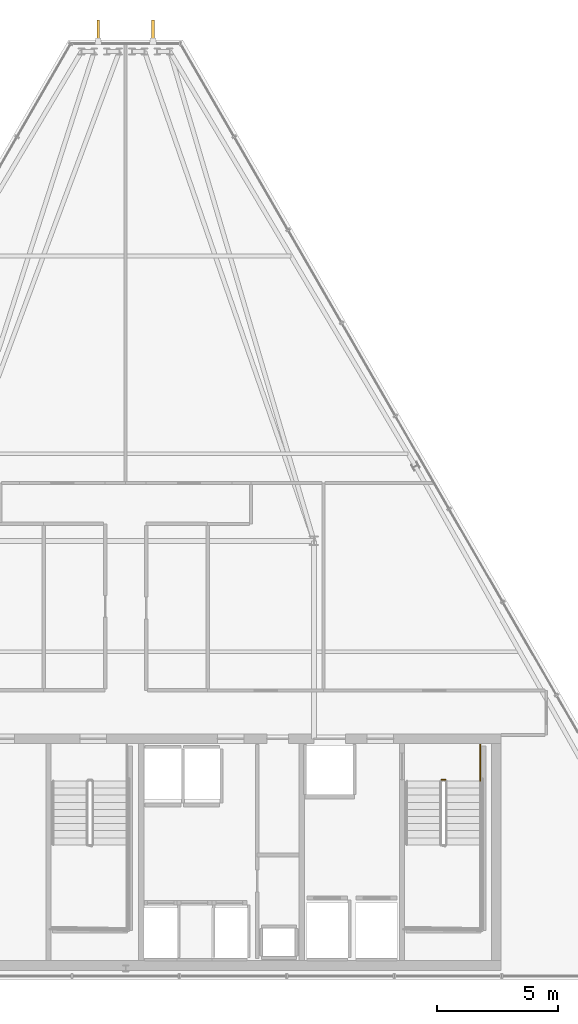
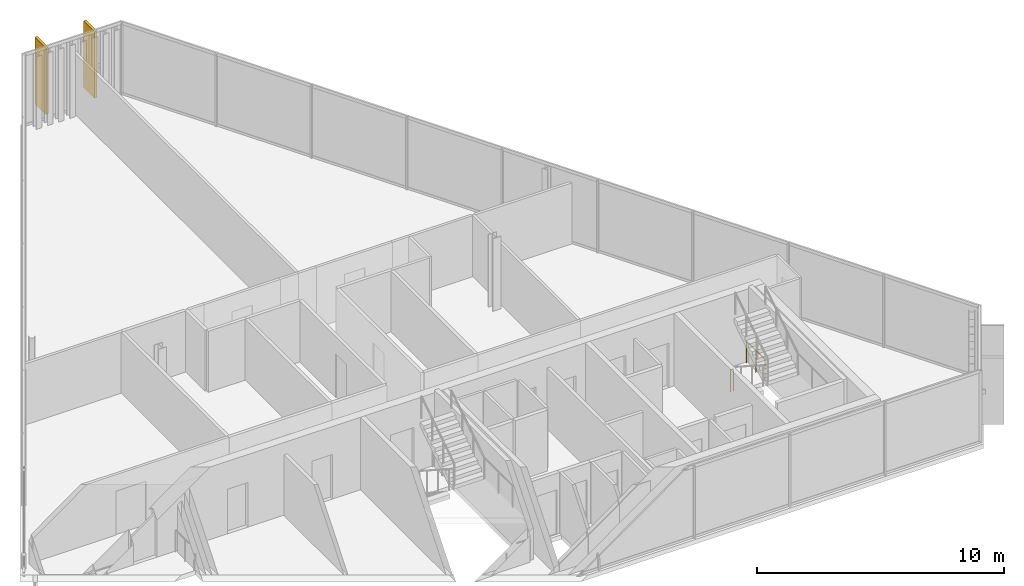
# One storey, part 32 of 32: 2 railings, 2 shading devices.
"""IFC4 building model written with IfcOpenShell, lengths in metres."""

import ifcopenshell
import ifcopenshell.guid

model = None  # the IFC model being written
_history = None  # IfcOwnerHistory: only IFC2X3 demands one
_inside = {}  # id of a spatial element -> (the spatial element, [elements in it])
_under = {}  # id of a project, library or spatial element -> (it, [spatial elements below it])
_declared = {}  # id of a project -> (the project, [libraries it declares])
_typed = {}  # id of a type object -> (the type object, [elements of that type])
_made_of = {}  # id of a material, layer set ... -> (it, [elements and type objects made of it])


def new_model(schema):
    """Start an empty IFC model of exactly this schema.

    Asked for "IFC4X3", IfcOpenShell would pick the latest addendum, in which some entities
    have other attributes; the version numbers below select the first issue.
    IFC2X3 requires an IfcOwnerHistory on every rooted entity: one is made here for all.
    """
    global model, _history
    if schema == "IFC4X3":
        model = ifcopenshell.file(schema_version=(4, 3, 0, 0))
    else:
        model = ifcopenshell.file(schema=schema)
    _inside.clear()
    _under.clear()
    _declared.clear()
    _typed.clear()
    _made_of.clear()
    _history = None
    if model.schema == "IFC2X3":
        org = make("IfcOrganization", Name="unknown")
        user = make(
            "IfcPersonAndOrganization",
            ThePerson=make("IfcPerson", FamilyName="unknown"),
            TheOrganization=org,
        )
        app = make(
            "IfcApplication",
            ApplicationDeveloper=org,
            Version="unknown",
            ApplicationFullName="unknown",
            ApplicationIdentifier="unknown",
        )
        _history = make(
            "IfcOwnerHistory",
            OwningUser=user,
            OwningApplication=app,
            ChangeAction="ADDED",
            CreationDate=0,
        )
    return model


def make(cls, **values):
    """One entity of the class cls with the attributes given. An attribute that is None is left unset."""
    return model.create_entity(
        cls, **{name: value for name, value in values.items() if value is not None}
    )


def rooted(cls, **values):
    """An entity with a GlobalId (a new one), such as an element, a storey or a relation."""
    return make(cls, GlobalId=ifcopenshell.guid.new(), OwnerHistory=_history, **values)


def si_unit(unit_type, name, prefix=None):
    """IfcSIUnit, for example si_unit("LENGTHUNIT", "METRE", prefix="MILLI")."""
    return make("IfcSIUnit", UnitType=unit_type, Prefix=prefix, Name=name)


def assignment(units):
    """IfcUnitAssignment: the units of a project."""
    return None if units is None else make("IfcUnitAssignment", Units=units)


def point(xyz):
    """IfcCartesianPoint."""
    return None if xyz is None else make("IfcCartesianPoint", Coordinates=xyz)


def direction(xyz):
    """IfcDirection."""
    return None if xyz is None else make("IfcDirection", DirectionRatios=xyz)


def frame(location, z_axis=None, x_axis=None):
    """IfcAxis2Placement3D, a coordinate frame: its origin and axes. An axis left out is left unset."""
    return make(
        "IfcAxis2Placement3D",
        Location=point(location),
        Axis=direction(z_axis),
        RefDirection=direction(x_axis),
    )


def frame_2d(location, x_axis=None):
    """IfcAxis2Placement2D, a coordinate frame in the plane: its origin and x axis."""
    return make(
        "IfcAxis2Placement2D", Location=point(location), RefDirection=direction(x_axis)
    )


def origin():
    """The frame at (0, 0, 0) with its axes left unset."""
    return frame((0.0, 0.0, 0.0))


def origin_2d():
    """The frame at (0, 0) in the plane with its x axis left unset."""
    return frame_2d((0.0, 0.0))


def place(relative_to, where):
    """IfcLocalPlacement: puts the frame where relative to a parent placement (None: the world)."""
    return make(
        "IfcLocalPlacement", PlacementRelTo=relative_to, RelativePlacement=where
    )


def context(
    kind, dimensions, precision=None, world=None, true_north=None, identifier=None
):
    """IfcGeometricRepresentationContext, for example the 3D "Model" context."""
    return make(
        "IfcGeometricRepresentationContext",
        ContextIdentifier=identifier,
        ContextType=kind,
        CoordinateSpaceDimension=dimensions,
        Precision=precision,
        WorldCoordinateSystem=world,
        TrueNorth=true_north,
    )


def subcontext(parent, identifier, kind, view, scale=None):
    """IfcGeometricRepresentationSubContext, for example "Body" below "Model"."""
    return make(
        "IfcGeometricRepresentationSubContext",
        ContextIdentifier=identifier,
        ContextType=kind,
        ParentContext=parent,
        TargetScale=scale,
        TargetView=view,
    )


def project(units=None, contexts=None):
    """IfcProject with its units and contexts."""
    return rooted(
        "IfcProject",
        Name="project",
        RepresentationContexts=contexts,
        UnitsInContext=assignment(units),
    )


def spatial(cls, under=None, at=None, **own):
    """A site, building, storey or space (cls), placed at a placement, below another one or the project."""
    s = rooted(cls, ObjectPlacement=at, **own)
    if under is not None:
        _under.setdefault(under.id(), (under, []))[1].append(s)
    return s


def profile(cls, at=None, kind="AREA", **sizes):
    """A parametric profile (cls). Its sizes go by their IFC names, for example OverallWidth=200.0."""
    return make(cls, ProfileType=kind, Position=at, **sizes)


def rectangle(**sizes):
    """IfcRectangleProfileDef."""
    return profile("IfcRectangleProfileDef", **sizes)


def circle(**sizes):
    """IfcCircleProfileDef."""
    return profile("IfcCircleProfileDef", **sizes)


def extrude(swept, where, along, depth):
    """IfcExtrudedAreaSolid: the profile swept, set in the frame where, extruded along a direction by depth."""
    return make(
        "IfcExtrudedAreaSolid",
        SweptArea=swept,
        Position=where,
        ExtrudedDirection=direction(along),
        Depth=depth,
    )


def shape(context_of_items, identifier, shape_type, items):
    """IfcShapeRepresentation: the items that make up one representation, for example the "Body"."""
    return make(
        "IfcShapeRepresentation",
        ContextOfItems=context_of_items,
        RepresentationIdentifier=identifier,
        RepresentationType=shape_type,
        Items=items,
    )


def material(Name=None, Category=None):
    """IfcMaterial."""
    return make("IfcMaterial", Name=Name, Category=Category)


def layer(
    of_material, thickness, ventilated=None, Name=None, Category=None, Priority=None
):
    """IfcMaterialLayer: one layer of a wall or slab, of a material (None: an air gap)."""
    return make(
        "IfcMaterialLayer",
        Material=of_material,
        LayerThickness=thickness,
        IsVentilated=ventilated,
        Name=Name,
        Category=Category,
        Priority=Priority,
    )


def layer_set(layers, Name=None):
    """IfcMaterialLayerSet."""
    return make("IfcMaterialLayerSet", MaterialLayers=layers, LayerSetName=Name)


def made_of(thing, what):
    """Note that an element or type object is made of a material, layer set ...; save() writes the relation."""
    if what is not None:
        _made_of.setdefault(what.id(), (what, []))[1].append(thing)
    return thing


def type_object(cls, material=None, **own):
    """A type object (cls), such as IfcWallType, which elements share."""
    return made_of(rooted(cls, **own), material)


def element(
    cls,
    number,
    at=None,
    inside=None,
    cuts=None,
    type_object=None,
    material=None,
    context=None,
    identifier="Body",
    shape_type=None,
    held_by="IfcProductDefinitionShape",
    body=None,
    shapes=None,
    **own,
):
    """One element of the class cls, such as IfcWall. Its Tag is "e" and its number.

    at: its placement. inside: the storey or other place that contains it. cuts: it is an
    opening in that element (IfcRelVoidsElement). A single representation is given by context,
    identifier, shape_type and body (its items); several are given by shapes. held_by: the class
    of the entity that holds the representations. save() writes the other relations.
    """
    e = rooted(cls, Tag="e%d" % number, ObjectPlacement=at, **own)
    if body is not None:
        shapes = [shape(context, identifier, shape_type, body)]
    if shapes is not None:
        e.Representation = make(held_by, Representations=shapes)
    if inside is not None:
        _inside.setdefault(inside.id(), (inside, []))[1].append(e)
    if cuts is not None:
        rooted(
            "IfcRelVoidsElement", RelatingBuildingElement=cuts, RelatedOpeningElement=e
        )
    if type_object is not None:
        _typed.setdefault(type_object.id(), (type_object, []))[1].append(e)
    return made_of(e, material)


def aggregate(whole, parts):
    """IfcRelAggregates: a whole, such as a stair, and the parts it consists of."""
    return rooted("IfcRelAggregates", RelatingObject=whole, RelatedObjects=parts)


def save(model, path):
    """Write the relations noted so far, then the file.

    IfcRelAggregates (storeys below a building ...), IfcRelContainedInSpatialStructure (elements
    in a storey), IfcRelDefinesByType, IfcRelAssociatesMaterial and IfcRelDeclares: one each for
    every whole, place, type object, material and project.
    """
    for whole, parts in _under.values():
        aggregate(whole, parts)
    for where, things in _inside.values():
        rooted(
            "IfcRelContainedInSpatialStructure",
            RelatedElements=things,
            RelatingStructure=where,
        )
    for kind, things in _typed.values():
        rooted("IfcRelDefinesByType", RelatedObjects=things, RelatingType=kind)
    for what, things in _made_of.values():
        rooted("IfcRelAssociatesMaterial", RelatedObjects=things, RelatingMaterial=what)
    for by, libraries in _declared.values():
        rooted("IfcRelDeclares", RelatingContext=by, RelatedDefinitions=libraries)
    model.write(path)


model = new_model("IFC4")

# Units and contexts
model_context = context("Model", 3, precision=1e-05, world=origin(), true_north=direction((0.0, 1.0)))
body_context = subcontext(model_context, "Body", "Model", "MODEL_VIEW")
ifc_project = project(units=[si_unit("LENGTHUNIT", "METRE"), si_unit("AREAUNIT", "SQUARE_METRE"), si_unit("VOLUMEUNIT", "CUBIC_METRE"), si_unit("PLANEANGLEUNIT", "RADIAN"), si_unit("MASSUNIT", "GRAM", prefix="KILO")], contexts=[model_context])

# Site, building, storey
site_placement = place(None, origin())
site = spatial("IfcSite", under=ifc_project, at=site_placement, CompositionType="ELEMENT")
building_placement = place(site_placement, origin())
building = spatial("IfcBuilding", under=site, at=building_placement, Name="Ndaravel Arena Tower", CompositionType="ELEMENT")
storey_placement = place(building_placement, frame((0.0, 0.0, 287.10009765625)))
storey = spatial("IfcBuildingStorey", under=building, at=storey_placement, Name="L70", CompositionType="ELEMENT", Elevation=287.10009765625)

# Railings
ifc_material_1 = material(Name="Steel S355", Category="steel")
ifc_layer = layer(ifc_material_1, 0.06005859375)
ifc_layer_set = layer_set([ifc_layer], Name="Steel S355")
railing_type = type_object("IfcRailingType", Name="RAIL-STAIR-GD1100", PredefinedType="GUARDRAIL", material=ifc_layer_set)
railing_1_placement = place(storey_placement, frame((55.10009765625, 13.300048828125, 0.0)))
element("IfcRailing", 1, at=railing_1_placement, inside=storey, type_object=railing_type, Name="L70 ST-3 stair guard 4", PredefinedType="GUARDRAIL", context=body_context, shape_type="SweptSolid", body=[
    extrude(circle(Radius=0.02392578125, at=origin_2d()), frame((0.0, 0.0, 1.076171875), z_axis=(1.0, 0.0, 0.0), x_axis=(0.0, 1.0, 0.0)), (0.0, 0.0, 1.0), 0.139892578125),
    extrude(circle(Radius=0.02099609375, at=origin_2d()), origin(), (0.0, 0.0, 1.0), 1.052001953125),
    extrude(circle(Radius=0.02099609375, at=origin_2d()), frame((0.139892578125, 0.0, 0.0)), (0.0, 0.0, 1.0), 1.052001953125),
])
railing_2_placement = place(storey_placement, frame((56.68994140625, 14.75, 0.0)))
element("IfcRailing", 2, at=railing_2_placement, inside=storey, type_object=railing_type, Name="L70 ST-3 stair guard 5", PredefinedType="GUARDRAIL", context=body_context, shape_type="SweptSolid", body=[
    extrude(circle(Radius=0.02392578125, at=origin_2d()), frame((0.0, 0.0, 1.076171875), z_axis=(0.0, -1.0, 0.0), x_axis=(1.0, 0.0, 0.0)), (0.0, 0.0, 1.0), 1.5),
    extrude(circle(Radius=0.02099609375, at=origin_2d()), origin(), (0.0, 0.0, 1.0), 1.052001953125),
    extrude(circle(Radius=0.02099609375, at=origin_2d()), frame((0.0, -0.75, 0.0)), (0.0, 0.0, 1.0), 1.052001953125),
    extrude(circle(Radius=0.02099609375, at=origin_2d()), frame((0.0, -1.5, 0.0)), (0.0, 0.0, 1.0), 1.052001953125),
])

# Shading devices
ifc_material_2 = material(Name="Masonry", Category="masonry")
shading_device_type = type_object("IfcShadingDeviceType", Name="SHD-MAZERAS-FIN", PredefinedType="SHUTTER", material=ifc_material_2)
for number, where, z_axis, x_axis, name in (
    (3, (43.13623046875, 44.331787109375, 0.14990234375), (0.0, 0.0, 1.0), (0.0, 1.0, 0.0), "L70 Mazeras Stone Solar Fin E4.1"),
    (4, (40.86376953125, 44.331787109375, 0.14990234375), (0.0, 0.0, 1.0), (0.0, 1.0, 0.0), "L70 Mazeras Stone Solar Fin E4.2"),
):
    element("IfcShadingDevice", number, at=place(storey_placement, frame(where, z_axis=z_axis, x_axis=x_axis)), inside=storey, type_object=shading_device_type, Name=name, PredefinedType="SHUTTER", context=body_context, shape_type="SweptSolid", body=[
        extrude(rectangle(XDim=0.89990234375, YDim=0.1201171875, at=origin_2d()), origin(), (0.0, 0.0, 1.0), 3.280029296875),
    ])

save(model, "model.ifc")
